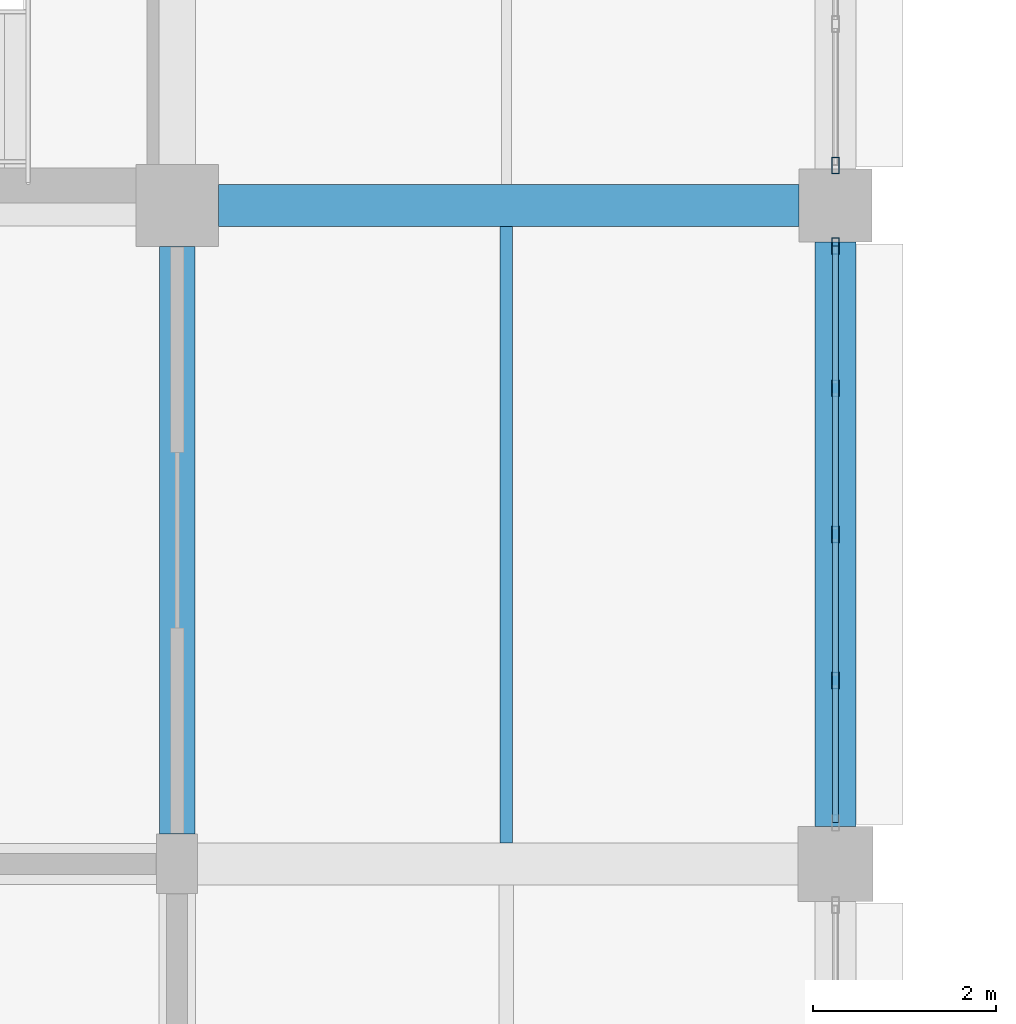
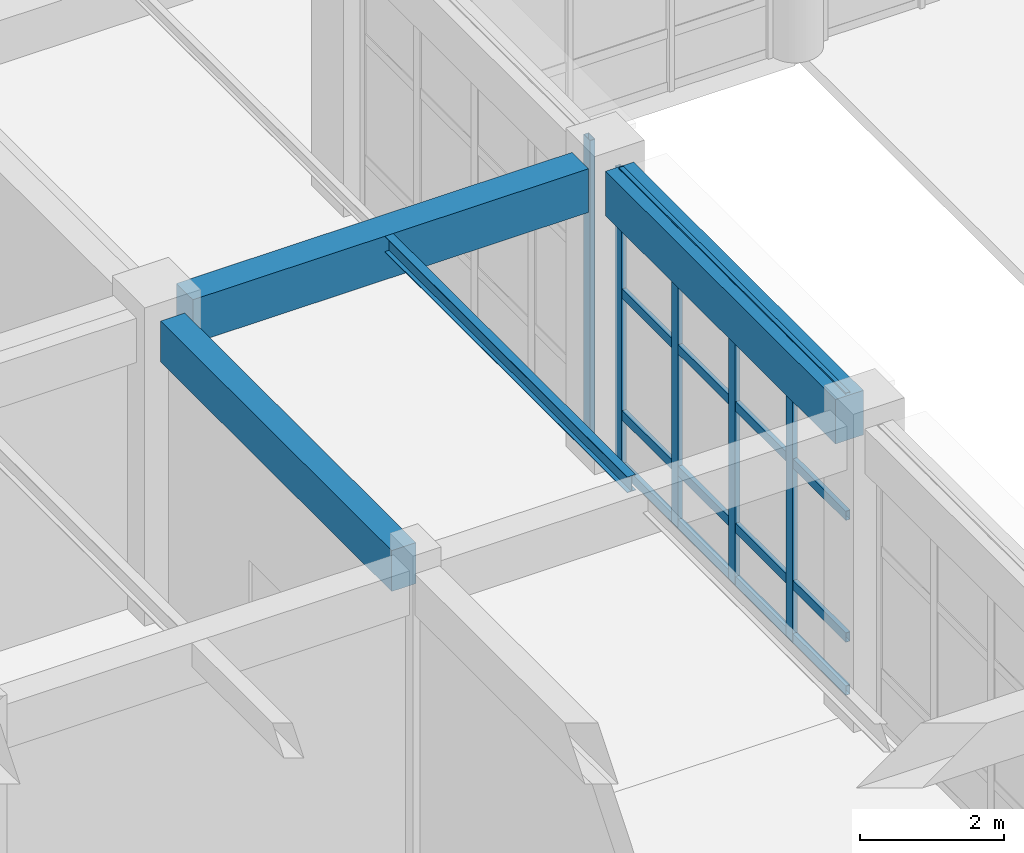
# One storey, part 22 of 160: 9 members, 4 beams, 2 elements without a shape of their own.
"""IFC4 building model written with IfcOpenShell, lengths in metres."""

from ifc_helpers import new_model, si_unit, direction, frame, origin, origin_2d, place, context, subcontext, project, spatial, rectangle, hollow_rectangle, i_section, extrude, material, material_profile, profile_set, type_object, element, aggregate, save


model = new_model("IFC4")

# Units and contexts
model_context = context("Model", 3, precision=1e-05, world=origin(), true_north=direction((0.0, 1.0)))
body_context = subcontext(model_context, "Body", "Model", "MODEL_VIEW")
ifc_project = project(units=[si_unit("LENGTHUNIT", "METRE"), si_unit("AREAUNIT", "SQUARE_METRE"), si_unit("VOLUMEUNIT", "CUBIC_METRE"), si_unit("PLANEANGLEUNIT", "RADIAN"), si_unit("MASSUNIT", "GRAM", prefix="KILO")], contexts=[model_context])

# Site, building, storey
site_placement = place(None, origin())
site = spatial("IfcSite", under=ifc_project, at=site_placement, CompositionType="ELEMENT")
building_placement = place(site_placement, origin())
building = spatial("IfcBuilding", under=site, at=building_placement, Name="Thalmaran Polytechnic", CompositionType="ELEMENT")
storey_placement = place(building_placement, origin())
storey = spatial("IfcBuildingStorey", under=building, at=storey_placement, Name="L00", CompositionType="ELEMENT", Elevation=0.0)

# Beams
ifc_material_1 = material(Name="Concrete C40/50", Category="concrete")
ifc_material_profile_1 = material_profile(ifc_material_1, rectangle(XDim=0.389892578125, YDim=0.695068359375, at=origin_2d()), Name="RC 390x695")
ifc_profile_set_1 = profile_set([ifc_material_profile_1], Name="Concrete C40/50")
beam_type_1 = type_object("IfcBeamType", Name="BM-RC10", PredefinedType="BEAM", material=ifc_profile_set_1)
beam_1_placement = place(storey_placement, frame((14.39990234375, 36.324951171875, 4.742431640625), z_axis=(0.0, 1.0, 0.0), x_axis=(-1.0, 0.0, 0.0)))
element("IfcBeam", 1, at=beam_1_placement, inside=storey, type_object=beam_type_1, Name="Grid Beam B10 L00 Y(2,5)", PredefinedType="BEAM", context=body_context, shape_type="SweptSolid", body=[
    extrude(rectangle(XDim=0.389892578125, YDim=0.695068359375, at=origin_2d()), origin(), (0.0, 0.0, 1.0), 6.425048828125),
])
ifc_material_2 = material(Name="Steel S355", Category="steel")
ifc_material_profile_2 = material_profile(ifc_material_2, i_section(OverallWidth=0.135009765625, OverallDepth=0.27001953125, WebThickness=0.006591796875, FlangeThickness=0.01025390625, at=origin_2d()), Name="IPE 270")
ifc_profile_set_2 = profile_set([ifc_material_profile_2], Name="Steel S355")
beam_type_2 = type_object("IfcBeamType", Name="BM-SJ03", PredefinedType="JOIST", material=ifc_profile_set_2)
beam_2_placement = place(storey_placement, frame((18.0, 36.22998046875, 4.955078125), z_axis=(0.0, 1.0, 0.0), x_axis=(-1.0, 0.0, 0.0)))
element("IfcBeam", 2, at=beam_2_placement, inside=storey, type_object=beam_type_2, Name="Secondary Floor Rib SJ03 L00 (2,5)", PredefinedType="JOIST", context=body_context, shape_type="SweptSolid", body=[
    extrude(i_section(OverallWidth=0.135009765625, OverallDepth=0.27001953125, WebThickness=0.006591796875, FlangeThickness=0.01025390625, at=origin_2d()), origin(), (0.0, 0.0, 1.0), 6.739990234375),
])
ifc_material_profile_3 = material_profile(ifc_material_1, rectangle(XDim=0.449951171875, YDim=0.7548828125, at=origin_2d()), Name="RC 450x755")
ifc_profile_set_3 = profile_set([ifc_material_profile_3], Name="Concrete C40/50")
beam_type_3 = type_object("IfcBeamType", Name="BM-SP02", PredefinedType="SPANDREL", material=ifc_profile_set_3)
beam_3_placement = place(storey_placement, frame((21.60009765625, 36.409912109375, 4.71240234375), z_axis=(0.0, 1.0, 0.0), x_axis=(-1.0, 0.0, 0.0)))
element("IfcBeam", 3, at=beam_3_placement, inside=storey, type_object=beam_type_3, Name="Grid Beam SP02 L00 Y(3,5)", PredefinedType="SPANDREL", context=body_context, shape_type="SweptSolid", body=[
    extrude(rectangle(XDim=0.449951171875, YDim=0.7548828125, at=origin_2d()), origin(), (0.0, 0.0, 1.0), 6.39013671875),
])
ifc_material_profile_4 = material_profile(ifc_material_1, rectangle(XDim=0.4599609375, YDim=0.739990234375, at=origin_2d()), Name="RC 460x740")
ifc_profile_set_4 = profile_set([ifc_material_profile_4], Name="Concrete C40/50")
beam_type_4 = type_object("IfcBeamType", Name="BM-ZB02", PredefinedType="BEAM", material=ifc_profile_set_4)
beam_4_placement = place(storey_placement, frame((14.85009765625, 43.199951171875, 4.719970703125), z_axis=(1.0, 0.0, 0.0), x_axis=(0.0, 1.0, 0.0)))
element("IfcBeam", 4, at=beam_4_placement, inside=storey, type_object=beam_type_4, Name="Grid Beam ZB02 L00 X(2,6)", PredefinedType="BEAM", context=body_context, shape_type="SweptSolid", body=[
    extrude(rectangle(XDim=0.4599609375, YDim=0.739990234375, at=origin_2d()), origin(), (0.0, 0.0, 1.0), 6.349853515625),
])

# Curtain wall, member
ifc_material_3 = material(Name="Aluminium 6063-T6", Category="aluminium")
curtain_wall_type = type_object("IfcCurtainWallType", Name="CW-UC01", PredefinedType="USERDEFINED", material=ifc_material_3)
curtain_wall_1_placement = place(storey_placement, origin())
curtain_wall_1 = element("IfcCurtainWall", 5, at=curtain_wall_1_placement, inside=storey, type_object=curtain_wall_type, Name="Curtain Wall CW-L00-045", ObjectType="UNITISED CURTAIN WALL", PredefinedType="USERDEFINED")
ifc_material_profile_5 = material_profile(ifc_material_3, hollow_rectangle(XDim=0.080078125, YDim=0.179931640625, WallThickness=0.0048828125, at=origin_2d()), Name="RHS 180x80x5.0")
ifc_profile_set_5 = profile_set([ifc_material_profile_5], Name="Aluminium 6063-T6")
member_type_1 = type_object("IfcMemberType", Name="CW-MUL1", PredefinedType="MULLION", material=ifc_profile_set_5)
member_1_placement = place(storey_placement, frame((21.60009765625, 43.639892578125, 0.0), z_axis=(0.0, 0.0, 1.0), x_axis=(1.0, 0.0, 0.0)))
member_1 = element("IfcMember", 6, at=member_1_placement, type_object=member_type_1, Name="CW-L00-045 Mullion 5", PredefinedType="MULLION", context=body_context, shape_type="SweptSolid", body=[
    extrude(hollow_rectangle(XDim=0.080078125, YDim=0.179931640625, WallThickness=0.0048828125, at=origin_2d()), origin(), (0.0, 0.0, 1.0), 5.090087890625),
])
aggregate(curtain_wall_1, [member_1])

# Curtain wall, members
curtain_wall_2_placement = place(storey_placement, origin())
curtain_wall_2 = element("IfcCurtainWall", 7, at=curtain_wall_2_placement, inside=storey, type_object=curtain_wall_type, Name="Curtain Wall CW-L00-046", ObjectType="UNITISED CURTAIN WALL", PredefinedType="USERDEFINED")
member_2_placement = place(storey_placement, frame((21.60009765625, 42.760009765625, 0.0), z_axis=(0.0, 0.0, 1.0), x_axis=(1.0, 0.0, 0.0)))
member_2 = element("IfcMember", 8, at=member_2_placement, type_object=member_type_1, Name="CW-L00-046 Mullion 1", PredefinedType="MULLION", context=body_context, shape_type="SweptSolid", body=[
    extrude(hollow_rectangle(XDim=0.080078125, YDim=0.179931640625, WallThickness=0.0048828125, at=origin_2d()), origin(), (0.0, 0.0, 1.0), 5.090087890625),
])
member_3_placement = place(storey_placement, frame((21.60009765625, 41.202392578125, 0.0), z_axis=(0.0, 0.0, 1.0), x_axis=(1.0, 0.0, 0.0)))
member_3 = element("IfcMember", 9, at=member_3_placement, type_object=member_type_1, Name="CW-L00-046 Mullion 2", PredefinedType="MULLION", context=body_context, shape_type="SweptSolid", body=[
    extrude(hollow_rectangle(XDim=0.080078125, YDim=0.179931640625, WallThickness=0.0048828125, at=origin_2d()), origin(), (0.0, 0.0, 1.0), 5.090087890625),
])
member_4_placement = place(storey_placement, frame((21.60009765625, 39.60498046875, 0.0), z_axis=(0.0, 0.0, 1.0), x_axis=(1.0, 0.0, 0.0)))
member_4 = element("IfcMember", 10, at=member_4_placement, type_object=member_type_1, Name="CW-L00-046 Mullion 3", PredefinedType="MULLION", context=body_context, shape_type="SweptSolid", body=[
    extrude(hollow_rectangle(XDim=0.080078125, YDim=0.179931640625, WallThickness=0.0048828125, at=origin_2d()), origin(), (0.0, 0.0, 1.0), 5.090087890625),
])
member_5_placement = place(storey_placement, frame((21.60009765625, 38.007568359375, 0.0), z_axis=(0.0, 0.0, 1.0), x_axis=(1.0, 0.0, 0.0)))
member_5 = element("IfcMember", 11, at=member_5_placement, type_object=member_type_1, Name="CW-L00-046 Mullion 4", PredefinedType="MULLION", context=body_context, shape_type="SweptSolid", body=[
    extrude(hollow_rectangle(XDim=0.080078125, YDim=0.179931640625, WallThickness=0.0048828125, at=origin_2d()), origin(), (0.0, 0.0, 1.0), 5.090087890625),
])
ifc_material_profile_6 = material_profile(ifc_material_3, hollow_rectangle(XDim=0.070068359375, YDim=0.159912109375, WallThickness=0.00390625, at=origin_2d()), Name="AL 160x70x4.0")
ifc_profile_set_6 = profile_set([ifc_material_profile_6], Name="Aluminium 6063-T6")
member_type_2 = type_object("IfcMemberType", Name="CW-TRN1", PredefinedType="USERDEFINED", material=ifc_profile_set_6)
member_6_placement = place(storey_placement, frame((21.60009765625, 42.760009765625, 0.06005859375), z_axis=(0.0, -1.0, 0.0), x_axis=(1.0, 0.0, 0.0)))
member_6 = element("IfcMember", 12, at=member_6_placement, type_object=member_type_2, Name="CW-L00-046 Transom 1", ObjectType="TRANSOM", PredefinedType="USERDEFINED", context=body_context, shape_type="SweptSolid", body=[
    extrude(hollow_rectangle(XDim=0.070068359375, YDim=0.159912109375, WallThickness=0.00390625, at=origin_2d()), origin(), (0.0, 0.0, 1.0), 6.31005859375),
])
member_7_placement = place(storey_placement, frame((21.60009765625, 42.760009765625, 0.9599609375), z_axis=(0.0, -1.0, 0.0), x_axis=(1.0, 0.0, 0.0)))
member_7 = element("IfcMember", 13, at=member_7_placement, type_object=member_type_2, Name="CW-L00-046 Transom 2", ObjectType="TRANSOM", PredefinedType="USERDEFINED", context=body_context, shape_type="SweptSolid", body=[
    extrude(hollow_rectangle(XDim=0.070068359375, YDim=0.159912109375, WallThickness=0.00390625, at=origin_2d()), origin(), (0.0, 0.0, 1.0), 6.31005859375),
])
member_8_placement = place(storey_placement, frame((21.60009765625, 42.760009765625, 3.02490234375), z_axis=(0.0, -1.0, 0.0), x_axis=(1.0, 0.0, 0.0)))
member_8 = element("IfcMember", 14, at=member_8_placement, type_object=member_type_2, Name="CW-L00-046 Transom 3", ObjectType="TRANSOM", PredefinedType="USERDEFINED", context=body_context, shape_type="SweptSolid", body=[
    extrude(hollow_rectangle(XDim=0.070068359375, YDim=0.159912109375, WallThickness=0.00390625, at=origin_2d()), origin(), (0.0, 0.0, 1.0), 6.31005859375),
])
member_9_placement = place(storey_placement, frame((21.60009765625, 42.760009765625, 5.030029296875), z_axis=(0.0, -1.0, 0.0), x_axis=(1.0, 0.0, 0.0)))
member_9 = element("IfcMember", 15, at=member_9_placement, type_object=member_type_2, Name="CW-L00-046 Transom 4", ObjectType="TRANSOM", PredefinedType="USERDEFINED", context=body_context, shape_type="SweptSolid", body=[
    extrude(hollow_rectangle(XDim=0.070068359375, YDim=0.159912109375, WallThickness=0.00390625, at=origin_2d()), origin(), (0.0, 0.0, 1.0), 6.31005859375),
])
aggregate(curtain_wall_2, [member_2, member_3, member_4, member_5, member_6, member_7, member_8, member_9])

save(model, "model.ifc")
